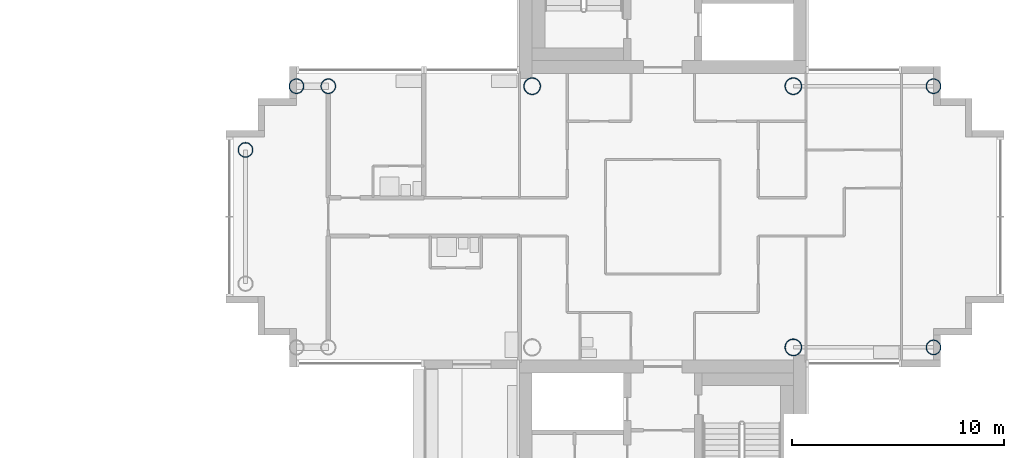
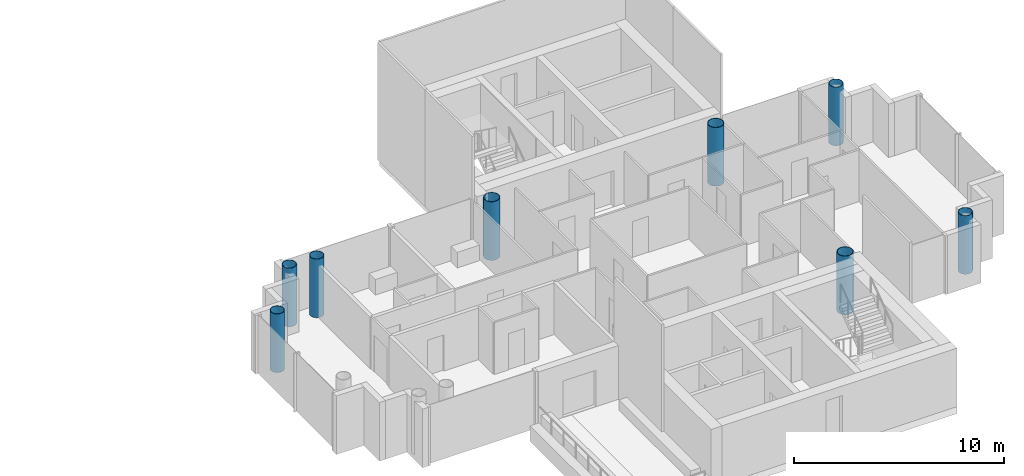
# One storey, part 2 of 18: 8 columns.
"""IFC4 building model written with IfcOpenShell, lengths in metres."""

from ifc_helpers import new_model, si_unit, direction, frame, origin, origin_2d, place, context, subcontext, project, spatial, hollow_circle, extrude, material, material_profile, profile_set, type_object, element, save


model = new_model("IFC4")

# Units and contexts
model_context = context("Model", 3, precision=1e-05, world=origin(), true_north=direction((0.0, 1.0)))
body_context = subcontext(model_context, "Body", "Model", "MODEL_VIEW")
ifc_project = project(units=[si_unit("LENGTHUNIT", "METRE"), si_unit("AREAUNIT", "SQUARE_METRE"), si_unit("VOLUMEUNIT", "CUBIC_METRE"), si_unit("PLANEANGLEUNIT", "RADIAN"), si_unit("MASSUNIT", "GRAM", prefix="KILO")], contexts=[model_context])

# Site, building, storey
site_placement = place(None, origin())
site = spatial("IfcSite", under=ifc_project, at=site_placement, CompositionType="ELEMENT")
building_placement = place(site_placement, origin())
building = spatial("IfcBuilding", under=site, at=building_placement, Name="Ipe Terrace Towers", CompositionType="ELEMENT")
storey_placement = place(building_placement, frame((0.0, 0.0, 206.199951171875)))
storey = spatial("IfcBuildingStorey", under=building, at=storey_placement, Name="L57", CompositionType="ELEMENT", Elevation=206.199951171875)

# Columns
ifc_material_1 = material(Name="Steel S355 tube with Concrete C60/75 fill", Category="concrete")
ifc_material_profile_1 = material_profile(ifc_material_1, hollow_circle(Radius=0.35009765625, WallThickness=0.02490234375, at=origin_2d()), Name="CHS-700x25")
ifc_profile_set_1 = profile_set([ifc_material_profile_1], Name="Steel S355 tube with Concrete C60/75 fill")
column_type_1 = type_object("IfcColumnType", Name="CH08 COLUMN CHS-700x25", PredefinedType="COLUMN", material=ifc_profile_set_1)
for number, where, z_axis, x_axis, name in (
    (1, (20.25, 6.14990234375, 0.0), (0.0, 0.0, 1.0), (1.0, 0.0, 0.0), "Column T2-C-B03"),
    (2, (18.75, 6.14990234375, 0.0), (0.0, 0.0, 1.0), (1.0, 0.0, 0.0), "Column T2-C-B05"),
    (3, (16.35009765625, 3.14990234375, 0.0), (0.0, 0.0, 1.0), (1.0, 0.0, 0.0), "Column T2-C-B07"),
    (4, (48.75, -6.14990234375, 0.0), (0.0, 0.0, 1.0), (1.0, 0.0, 0.0), "Column T2-C-D01"),
    (5, (48.75, 6.14990234375, 0.0), (0.0, 0.0, 1.0), (1.0, 0.0, 0.0), "Column T2-C-D02"),
):
    element("IfcColumn", number, at=place(storey_placement, frame(where, z_axis=z_axis, x_axis=x_axis)), inside=storey, type_object=column_type_1, Name=name, PredefinedType="COLUMN", context=body_context, shape_type="SweptSolid", body=[
        extrude(hollow_circle(Radius=0.35009765625, WallThickness=0.02490234375, at=origin_2d()), origin(), (0.0, 0.0, 1.0), 3.400146484375),
    ])
ifc_material_2 = material(Name="Steel S355 tube with Concrete C60/75 fill", Category="concrete")
ifc_material_profile_2 = material_profile(ifc_material_2, hollow_circle(Radius=0.39990234375, WallThickness=0.028076171875, at=origin_2d()), Name="CHS-800x28")
ifc_profile_set_2 = profile_set([ifc_material_profile_2], Name="Steel S355 tube with Concrete C60/75 fill")
column_type_2 = type_object("IfcColumnType", Name="CH09 COLUMN CHS-800x28", PredefinedType="COLUMN", material=ifc_profile_set_2)
for number, where, z_axis, x_axis, name in (
    (6, (42.14990234375, -6.14990234375, 0.0), (0.0, 0.0, 1.0), (1.0, 0.0, 0.0), "Column T2-C-E01"),
    (7, (42.14990234375, 6.14990234375, 0.0), (0.0, 0.0, 1.0), (1.0, 0.0, 0.0), "Column T2-C-E02"),
    (8, (29.85009765625, 6.14990234375, 0.0), (0.0, 0.0, 1.0), (1.0, 0.0, 0.0), "Column T2-C-E03"),
):
    element("IfcColumn", number, at=place(storey_placement, frame(where, z_axis=z_axis, x_axis=x_axis)), inside=storey, type_object=column_type_2, Name=name, PredefinedType="COLUMN", context=body_context, shape_type="SweptSolid", body=[
        extrude(hollow_circle(Radius=0.39990234375, WallThickness=0.028076171875, at=origin_2d()), origin(), (0.0, 0.0, 1.0), 3.400146484375),
    ])

save(model, "model.ifc")
